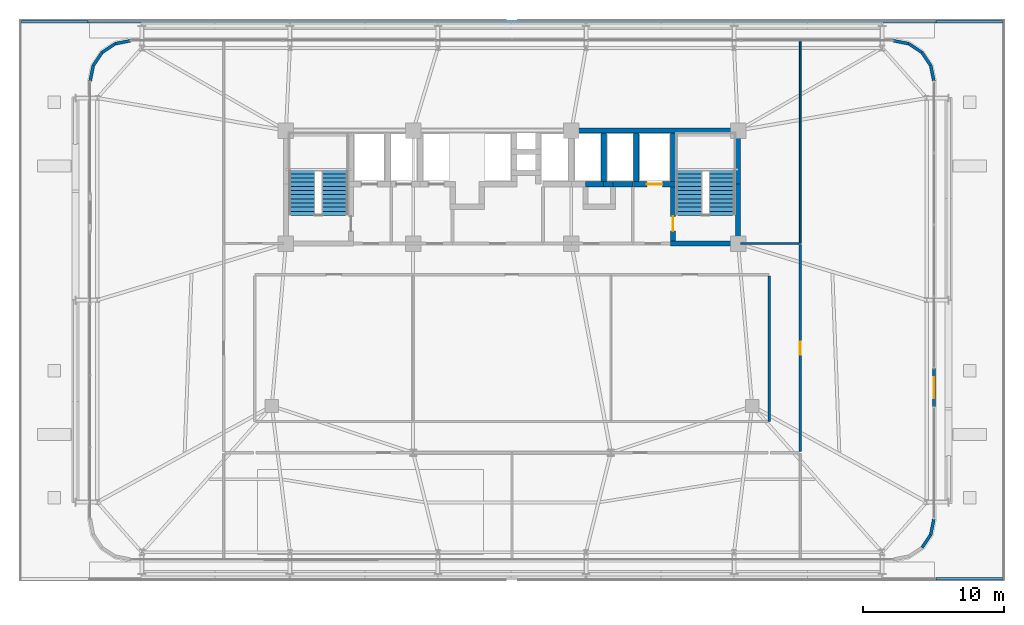
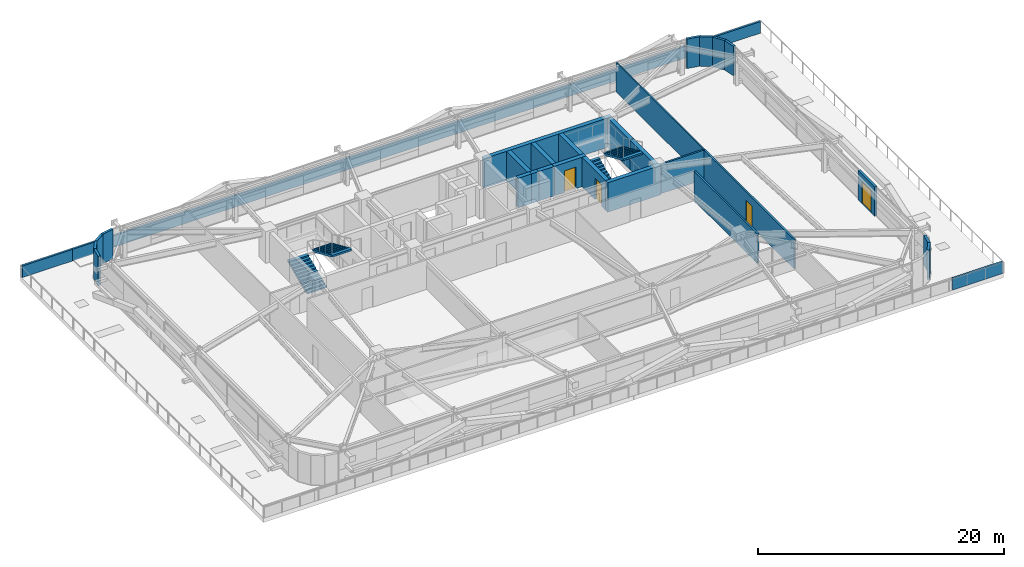
# One storey, part 52 of 56: 31 walls, 4 doors, 4 stair flights, 4 openings, 2 elements without a shape of their own.
"""IFC4 building model written with IfcOpenShell, lengths in metres."""

import ifcopenshell
import ifcopenshell.guid

model = None  # the IFC model being written
_history = None  # IfcOwnerHistory: only IFC2X3 demands one
_inside = {}  # id of a spatial element -> (the spatial element, [elements in it])
_under = {}  # id of a project, library or spatial element -> (it, [spatial elements below it])
_declared = {}  # id of a project -> (the project, [libraries it declares])
_typed = {}  # id of a type object -> (the type object, [elements of that type])
_made_of = {}  # id of a material, layer set ... -> (it, [elements and type objects made of it])


def new_model(schema):
    """Start an empty IFC model of exactly this schema.

    Asked for "IFC4X3", IfcOpenShell would pick the latest addendum, in which some entities
    have other attributes; the version numbers below select the first issue.
    IFC2X3 requires an IfcOwnerHistory on every rooted entity: one is made here for all.
    """
    global model, _history
    if schema == "IFC4X3":
        model = ifcopenshell.file(schema_version=(4, 3, 0, 0))
    else:
        model = ifcopenshell.file(schema=schema)
    _inside.clear()
    _under.clear()
    _declared.clear()
    _typed.clear()
    _made_of.clear()
    _history = None
    if model.schema == "IFC2X3":
        org = make("IfcOrganization", Name="unknown")
        user = make(
            "IfcPersonAndOrganization",
            ThePerson=make("IfcPerson", FamilyName="unknown"),
            TheOrganization=org,
        )
        app = make(
            "IfcApplication",
            ApplicationDeveloper=org,
            Version="unknown",
            ApplicationFullName="unknown",
            ApplicationIdentifier="unknown",
        )
        _history = make(
            "IfcOwnerHistory",
            OwningUser=user,
            OwningApplication=app,
            ChangeAction="ADDED",
            CreationDate=0,
        )
    return model


def make(cls, **values):
    """One entity of the class cls with the attributes given. An attribute that is None is left unset."""
    return model.create_entity(
        cls, **{name: value for name, value in values.items() if value is not None}
    )


def rooted(cls, **values):
    """An entity with a GlobalId (a new one), such as an element, a storey or a relation."""
    return make(cls, GlobalId=ifcopenshell.guid.new(), OwnerHistory=_history, **values)


def si_unit(unit_type, name, prefix=None):
    """IfcSIUnit, for example si_unit("LENGTHUNIT", "METRE", prefix="MILLI")."""
    return make("IfcSIUnit", UnitType=unit_type, Prefix=prefix, Name=name)


def assignment(units):
    """IfcUnitAssignment: the units of a project."""
    return None if units is None else make("IfcUnitAssignment", Units=units)


def point(xyz):
    """IfcCartesianPoint."""
    return None if xyz is None else make("IfcCartesianPoint", Coordinates=xyz)


def direction(xyz):
    """IfcDirection."""
    return None if xyz is None else make("IfcDirection", DirectionRatios=xyz)


def frame(location, z_axis=None, x_axis=None):
    """IfcAxis2Placement3D, a coordinate frame: its origin and axes. An axis left out is left unset."""
    return make(
        "IfcAxis2Placement3D",
        Location=point(location),
        Axis=direction(z_axis),
        RefDirection=direction(x_axis),
    )


def frame_2d(location, x_axis=None):
    """IfcAxis2Placement2D, a coordinate frame in the plane: its origin and x axis."""
    return make(
        "IfcAxis2Placement2D", Location=point(location), RefDirection=direction(x_axis)
    )


def origin():
    """The frame at (0, 0, 0) with its axes left unset."""
    return frame((0.0, 0.0, 0.0))


def place(relative_to, where):
    """IfcLocalPlacement: puts the frame where relative to a parent placement (None: the world)."""
    return make(
        "IfcLocalPlacement", PlacementRelTo=relative_to, RelativePlacement=where
    )


def context(
    kind, dimensions, precision=None, world=None, true_north=None, identifier=None
):
    """IfcGeometricRepresentationContext, for example the 3D "Model" context."""
    return make(
        "IfcGeometricRepresentationContext",
        ContextIdentifier=identifier,
        ContextType=kind,
        CoordinateSpaceDimension=dimensions,
        Precision=precision,
        WorldCoordinateSystem=world,
        TrueNorth=true_north,
    )


def subcontext(parent, identifier, kind, view, scale=None):
    """IfcGeometricRepresentationSubContext, for example "Body" below "Model"."""
    return make(
        "IfcGeometricRepresentationSubContext",
        ContextIdentifier=identifier,
        ContextType=kind,
        ParentContext=parent,
        TargetScale=scale,
        TargetView=view,
    )


def project(units=None, contexts=None):
    """IfcProject with its units and contexts."""
    return rooted(
        "IfcProject",
        Name="project",
        RepresentationContexts=contexts,
        UnitsInContext=assignment(units),
    )


def spatial(cls, under=None, at=None, **own):
    """A site, building, storey or space (cls), placed at a placement, below another one or the project."""
    s = rooted(cls, ObjectPlacement=at, **own)
    if under is not None:
        _under.setdefault(under.id(), (under, []))[1].append(s)
    return s


def polyline(points):
    """IfcPolyline through the points."""
    return make("IfcPolyline", Points=[point(p) for p in points])


def profile(cls, at=None, kind="AREA", **sizes):
    """A parametric profile (cls). Its sizes go by their IFC names, for example OverallWidth=200.0."""
    return make(cls, ProfileType=kind, Position=at, **sizes)


def rectangle(**sizes):
    """IfcRectangleProfileDef."""
    return profile("IfcRectangleProfileDef", **sizes)


def outline(outer, holes=None, kind="AREA"):
    """IfcArbitraryClosedProfileDef: a profile drawn as a closed curve; with holes, ...WithVoids."""
    if holes is None:
        return make("IfcArbitraryClosedProfileDef", ProfileType=kind, OuterCurve=outer)
    return make(
        "IfcArbitraryProfileDefWithVoids",
        ProfileType=kind,
        OuterCurve=outer,
        InnerCurves=holes,
    )


def extrude(swept, where, along, depth):
    """IfcExtrudedAreaSolid: the profile swept, set in the frame where, extruded along a direction by depth."""
    return make(
        "IfcExtrudedAreaSolid",
        SweptArea=swept,
        Position=where,
        ExtrudedDirection=direction(along),
        Depth=depth,
    )


def shape(context_of_items, identifier, shape_type, items):
    """IfcShapeRepresentation: the items that make up one representation, for example the "Body"."""
    return make(
        "IfcShapeRepresentation",
        ContextOfItems=context_of_items,
        RepresentationIdentifier=identifier,
        RepresentationType=shape_type,
        Items=items,
    )


def source(mapping_origin, context_of_items, identifier, shape_type, items):
    """IfcRepresentationMap: a shape defined once, which mapped items show again and again."""
    return make(
        "IfcRepresentationMap",
        MappingOrigin=mapping_origin,
        MappedRepresentation=shape(context_of_items, identifier, shape_type, items),
    )


def transform(
    local_origin,
    x_axis=None,
    y_axis=None,
    z_axis=None,
    scale=None,
    scale2=None,
    scale3=None,
    uniform=True,
):
    """IfcCartesianTransformationOperator3D, or its non-uniform kind. x_axis, y_axis, z_axis: its Axis1, 2, 3."""
    if uniform:
        return make(
            "IfcCartesianTransformationOperator3D",
            Axis1=direction(x_axis),
            Axis2=direction(y_axis),
            LocalOrigin=point(local_origin),
            Scale=scale,
            Axis3=direction(z_axis),
        )
    return make(
        "IfcCartesianTransformationOperator3DnonUniform",
        Axis1=direction(x_axis),
        Axis2=direction(y_axis),
        LocalOrigin=point(local_origin),
        Scale=scale,
        Axis3=direction(z_axis),
        Scale2=scale2,
        Scale3=scale3,
    )


def mapped(mapping_source, mapping_target):
    """IfcMappedItem: shows the shape of a source again, moved by a transform."""
    return make(
        "IfcMappedItem", MappingSource=mapping_source, MappingTarget=mapping_target
    )


def material(Name=None, Category=None):
    """IfcMaterial."""
    return make("IfcMaterial", Name=Name, Category=Category)


def layer(
    of_material, thickness, ventilated=None, Name=None, Category=None, Priority=None
):
    """IfcMaterialLayer: one layer of a wall or slab, of a material (None: an air gap)."""
    return make(
        "IfcMaterialLayer",
        Material=of_material,
        LayerThickness=thickness,
        IsVentilated=ventilated,
        Name=Name,
        Category=Category,
        Priority=Priority,
    )


def layer_set(layers, Name=None):
    """IfcMaterialLayerSet."""
    return make("IfcMaterialLayerSet", MaterialLayers=layers, LayerSetName=Name)


def made_of(thing, what):
    """Note that an element or type object is made of a material, layer set ...; save() writes the relation."""
    if what is not None:
        _made_of.setdefault(what.id(), (what, []))[1].append(thing)
    return thing


def type_object(cls, material=None, **own):
    """A type object (cls), such as IfcWallType, which elements share."""
    return made_of(rooted(cls, **own), material)


def element(
    cls,
    number,
    at=None,
    inside=None,
    cuts=None,
    type_object=None,
    material=None,
    context=None,
    identifier="Body",
    shape_type=None,
    held_by="IfcProductDefinitionShape",
    body=None,
    shapes=None,
    **own,
):
    """One element of the class cls, such as IfcWall. Its Tag is "e" and its number.

    at: its placement. inside: the storey or other place that contains it. cuts: it is an
    opening in that element (IfcRelVoidsElement). A single representation is given by context,
    identifier, shape_type and body (its items); several are given by shapes. held_by: the class
    of the entity that holds the representations. save() writes the other relations.
    """
    e = rooted(cls, Tag="e%d" % number, ObjectPlacement=at, **own)
    if body is not None:
        shapes = [shape(context, identifier, shape_type, body)]
    if shapes is not None:
        e.Representation = make(held_by, Representations=shapes)
    if inside is not None:
        _inside.setdefault(inside.id(), (inside, []))[1].append(e)
    if cuts is not None:
        rooted(
            "IfcRelVoidsElement", RelatingBuildingElement=cuts, RelatedOpeningElement=e
        )
    if type_object is not None:
        _typed.setdefault(type_object.id(), (type_object, []))[1].append(e)
    return made_of(e, material)


def fill(opening, filler):
    """IfcRelFillsElement: the door or window that sits in an opening."""
    return rooted(
        "IfcRelFillsElement",
        RelatingOpeningElement=opening,
        RelatedBuildingElement=filler,
    )


def aggregate(whole, parts):
    """IfcRelAggregates: a whole, such as a stair, and the parts it consists of."""
    return rooted("IfcRelAggregates", RelatingObject=whole, RelatedObjects=parts)


def save(model, path):
    """Write the relations noted so far, then the file.

    IfcRelAggregates (storeys below a building ...), IfcRelContainedInSpatialStructure (elements
    in a storey), IfcRelDefinesByType, IfcRelAssociatesMaterial and IfcRelDeclares: one each for
    every whole, place, type object, material and project.
    """
    for whole, parts in _under.values():
        aggregate(whole, parts)
    for where, things in _inside.values():
        rooted(
            "IfcRelContainedInSpatialStructure",
            RelatedElements=things,
            RelatingStructure=where,
        )
    for kind, things in _typed.values():
        rooted("IfcRelDefinesByType", RelatedObjects=things, RelatingType=kind)
    for what, things in _made_of.values():
        rooted("IfcRelAssociatesMaterial", RelatedObjects=things, RelatingMaterial=what)
    for by, libraries in _declared.values():
        rooted("IfcRelDeclares", RelatingContext=by, RelatedDefinitions=libraries)
    model.write(path)


model = new_model("IFC4")

# Units and contexts
model_context = context("Model", 3, precision=1e-05, world=origin(), true_north=direction((0.0, 1.0)))
body_context = subcontext(model_context, "Body", "Model", "MODEL_VIEW")
ifc_project = project(units=[si_unit("LENGTHUNIT", "METRE"), si_unit("AREAUNIT", "SQUARE_METRE"), si_unit("VOLUMEUNIT", "CUBIC_METRE"), si_unit("PLANEANGLEUNIT", "RADIAN"), si_unit("MASSUNIT", "GRAM", prefix="KILO")], contexts=[model_context])

# Site, building, storey
site_placement = place(None, origin())
site = spatial("IfcSite", under=ifc_project, at=site_placement, CompositionType="ELEMENT")
building_placement = place(site_placement, origin())
building = spatial("IfcBuilding", under=site, at=building_placement, Name="Taldren Reach Tower", CompositionType="ELEMENT")
storey_placement = place(building_placement, frame((0.0, 0.0, 16.800048828125)))
storey = spatial("IfcBuildingStorey", under=building, at=storey_placement, Name="L04", CompositionType="ELEMENT", Elevation=16.800048828125)

# Walls
ifc_material_1 = material(Name="Pale Champagne Anodised Aluminium Cladding", Category="aluminium")
ifc_layer_1 = layer(ifc_material_1, 0.04, Name="Pale Champagne Anodised Aluminium Cladding", Category="aluminium")
ifc_material_2 = material(Name="Mineral Wool Acoustic Insulation", Category="insulation")
ifc_layer_2 = layer(ifc_material_2, 0.06, Name="Mineral Wool Acoustic Insulation", Category="insulation")
ifc_material_3 = material(Name="Steel Gr 350 (C350L0)", Category="steel")
ifc_layer_3 = layer(ifc_material_3, 0.12, Name="Steel Gr 350 (C350L0)", Category="steel")
ifc_layer_set_1 = layer_set([ifc_layer_1, ifc_layer_2, ifc_layer_3], Name="Pale Champagne Aluminium Cladding and Steel Gr 350 Stud Framing")
wall_type_1 = type_object("IfcWallType", Name="EW-CRN-220", PredefinedType="SOLIDWALL", material=ifc_layer_set_1)
shared_shape_1 = source(origin(), body_context, "Body", "SweptSolid", [
    extrude(rectangle(XDim=1.115966796875, YDim=0.219970703125, at=frame_2d((0.55810546875, 0.0))), origin(), (0.0, 0.0, 1.0), 2.929931640625),
])
for number, where, z_axis, x_axis, name in (
    (1, (64.022216796875, 2.477783203125, 0.0), (0.0, 0.0, 1.0), (0.555709556774, 0.83137650226, 0.0), "Rounded-corner pale-metal facade wall L04-SE3"),
    (2, (64.642333984375, 3.405517578125, 0.0), (0.0, 0.0, 1.0), (0.195148375659, 0.98077373103, 0.0), "Rounded-corner pale-metal facade wall L04-SE4"),
    (3, (64.860107421875, 35.5, 0.0), (0.0, 0.0, 1.0), (-0.195148375659, 0.98077373103, 0.0), "Rounded-corner pale-metal facade wall L04-NE1"),
    (4, (64.642333984375, 36.594482421875, 0.0), (0.0, 0.0, 1.0), (-0.555709556774, 0.83137650226, 0.0), "Rounded-corner pale-metal facade wall L04-NE2"),
    (5, (64.022216796875, 37.522216796875, 0.0), (0.0, 0.0, 1.0), (-0.83137650226, 0.555709556774, 0.0), "Rounded-corner pale-metal facade wall L04-NE3"),
    (6, (63.094482421875, 38.142333984375, 0.0), (0.0, 0.0, 1.0), (-0.98077373103, 0.195148375659, 0.0), "Rounded-corner pale-metal facade wall L04-NE4"),
    (7, (8.0, 38.360107421875, 0.0), (0.0, 0.0, 1.0), (-0.98077373103, -0.195148375659, 0.0), "Rounded-corner pale-metal facade wall L04-NW1"),
    (8, (6.905517578125, 38.142333984375, 0.0), (0.0, 0.0, 1.0), (-0.83137650226, -0.555709556774, 0.0), "Rounded-corner pale-metal facade wall L04-NW2"),
    (9, (5.977783203125, 37.522216796875, 0.0), (0.0, 0.0, 1.0), (-0.555709556774, -0.83137650226, 0.0), "Rounded-corner pale-metal facade wall L04-NW3"),
    (10, (5.357666015625, 36.594482421875, 0.0), (0.0, 0.0, 1.0), (-0.195148375659, -0.98077373103, 0.0), "Rounded-corner pale-metal facade wall L04-NW4"),
):
    element("IfcWall", number, at=place(storey_placement, frame(where, z_axis=z_axis, x_axis=x_axis)), inside=storey, type_object=wall_type_1, Name=name, PredefinedType="SOLIDWALL", context=body_context, shape_type="MappedRepresentation", body=[
        mapped(shared_shape_1, transform((0.0, 0.0, 0.0), scale=1.0)),
    ])

# Wall, opening, door
shared_shape_2 = source(origin(), body_context, "Body", "SweptSolid", [
    extrude(rectangle(XDim=2.699951171875, YDim=0.219970703125, at=frame_2d((1.35009765625, 0.0))), origin(), (0.0, 0.0, 1.0), 2.929931640625),
])
wall_1_placement = place(storey_placement, frame((64.860107421875, 12.449951171875, 0.0), z_axis=(0.0, 0.0, 1.0), x_axis=(0.0, 1.0, 0.0)))
wall_1 = element("IfcWall", 11, at=wall_1_placement, inside=storey, type_object=wall_type_1, Name="Terrace threshold facade wall L04-E1", PredefinedType="SOLIDWALL", context=body_context, shape_type="MappedRepresentation", body=[
    mapped(shared_shape_2, transform((0.0, 0.0, 0.0), scale=1.0)),
])
shared_shape_3 = source(origin(), body_context, "Body", "SweptSolid", [
    extrude(rectangle(XDim=1.5, YDim=2.199951171875, at=frame_2d((0.75, 1.10009765625))), frame((0.0, 0.1201171875, 0.0), z_axis=(0.0, -1.0, 0.0), x_axis=(1.0, 0.0, 0.0)), (0.0, 0.0, 1.0), 0.239990234375),
])
opening_1_placement = place(wall_1_placement, frame((0.60009765625, 0.0, 0.0)))
opening_1 = element("IfcOpeningElement", 12, at=opening_1_placement, cuts=wall_1, Name="Opening ED-150", PredefinedType="OPENING", context=body_context, shape_type="MappedRepresentation", body=[
    mapped(shared_shape_3, transform((0.0, 0.0, 0.0), scale=1.0)),
])
ifc_material_4 = material(Name="Weatherproof Glazed Terrace Door")
door_type_1 = type_object("IfcDoorType", Name="ED-TERR-1500", OperationType="DOUBLE_DOOR_SINGLE_SWING", PredefinedType="DOOR", material=ifc_material_4)
shared_shape_4 = source(origin(), body_context, "Body", "SweptSolid", [
    extrude(rectangle(XDim=1.5, YDim=2.199951171875, at=frame_2d((0.75, 1.10009765625))), frame((0.0, 0.02490234375, 0.0), z_axis=(0.0, -1.0, 0.0), x_axis=(1.0, 0.0, 0.0)), (0.0, 0.0, 1.0), 0.050048828125),
])
door_1_placement = place(opening_1_placement, frame((1.5, 0.0, 0.0), z_axis=(0.0, 0.0, 1.0), x_axis=(-1.0, 0.0, 0.0)))
door_1 = element("IfcDoor", 13, at=door_1_placement, inside=storey, type_object=door_type_1, Name="Setback terrace access door ED-TERR-L04-E1", OperationType="DOUBLE_DOOR_SINGLE_SWING", OverallHeight=2.199951171875, OverallWidth=1.5, PredefinedType="DOOR", context=body_context, shape_type="MappedRepresentation", body=[
    mapped(shared_shape_4, transform((0.0, 0.0, 0.0), scale=1.0)),
])
fill(opening_1, door_1)

# Walls
ifc_layer_4 = layer(ifc_material_1, 0.03, Name="Pale Champagne Anodised Aluminium Cladding", Category="aluminium")
ifc_material_5 = material(Name="Concrete N40 (40 MPa)", Category="concrete")
ifc_layer_5 = layer(ifc_material_5, 0.15, Name="Concrete N40 (40 MPa)", Category="concrete")
ifc_layer_set_2 = layer_set([ifc_layer_4, ifc_layer_5], Name="Pale Champagne Aluminium Coping and Concrete 40 MPa (N40) Parapet")
wall_type_2 = type_object("IfcWallType", Name="EW-PAR-180", PredefinedType="PARAPET", material=ifc_layer_set_2)
shared_shape_5 = source(origin(), body_context, "Body", "SweptSolid", [
    extrude(rectangle(XDim=60.0, YDim=0.179931640625, at=frame_2d((30.0, 0.0))), origin(), (0.0, 0.0, 1.0), 1.14990234375),
])
wall_2_placement = place(storey_placement, frame((5.0, 39.7099609375, 0.0), z_axis=(0.0, 0.0, 1.0), x_axis=(1.0, 0.0, 0.0)))
element("IfcWall", 14, at=wall_2_placement, inside=storey, type_object=wall_type_2, Name="Podium perimeter parapet wall L04-N", PredefinedType="PARAPET", context=body_context, shape_type="MappedRepresentation", body=[
    mapped(shared_shape_5, transform((0.0, 0.0, 0.0), scale=1.0)),
])
shared_shape_6 = source(origin(), body_context, "Body", "SweptSolid", [
    extrude(rectangle(XDim=4.7099609375, YDim=0.179931640625, at=frame_2d((2.35498046875, 0.0))), origin(), (0.0, 0.0, 1.0), 1.14990234375),
])
for number, where, z_axis, x_axis, name in (
    (15, (65.0, 0.2900390625, 0.0), (0.0, 0.0, 1.0), (1.0, 0.0, 0.0), "Podium perimeter parapet wall L04-SE"),
    (16, (0.2900390625, 39.7099609375, 0.0), (0.0, 0.0, 1.0), (1.0, 0.0, 0.0), "Podium perimeter parapet wall L04-NW"),
    (17, (65.0, 39.7099609375, 0.0), (0.0, 0.0, 1.0), (1.0, 0.0, 0.0), "Podium perimeter parapet wall L04-NE"),
):
    element("IfcWall", number, at=place(storey_placement, frame(where, z_axis=z_axis, x_axis=x_axis)), inside=storey, type_object=wall_type_2, Name=name, PredefinedType="PARAPET", context=body_context, shape_type="MappedRepresentation", body=[
        mapped(shared_shape_6, transform((0.0, 0.0, 0.0), scale=1.0)),
    ])
ifc_material_6 = material(Name="Concrete S80 (80 MPa)", Category="concrete")
ifc_layer_6 = layer(ifc_material_6, 0.3798828125)
ifc_layer_set_3 = layer_set([ifc_layer_6], Name="Concrete S80 (80 MPa)")
wall_type_3 = type_object("IfcWallType", Name="IW-CORE-380", PredefinedType="SHEAR", material=ifc_layer_set_3)
shared_shape_7 = source(origin(), body_context, "Body", "SweptSolid", [
    extrude(rectangle(XDim=11.989990234375, YDim=0.3798828125, at=frame_2d((5.9951171875, 0.0))), origin(), (0.0, 0.0, 1.0), 2.929931640625),
])
wall_3_placement = place(storey_placement, frame((39.199951171875, 32.0, 0.0), z_axis=(0.0, 0.0, 1.0), x_axis=(1.0, 0.0, 0.0)))
element("IfcWall", 18, at=wall_3_placement, inside=storey, type_object=wall_type_3, Name="Rear Core Shear Wall W-CORE-L04-NORTH3", PredefinedType="SHEAR", context=body_context, shape_type="MappedRepresentation", body=[
    mapped(shared_shape_7, transform((0.0, 0.0, 0.0), scale=1.0)),
])
shared_shape_8 = source(origin(), body_context, "Body", "SweptSolid", [
    extrude(rectangle(XDim=4.010009765625, YDim=0.3798828125, at=frame_2d((2.0048828125, 0.0))), origin(), (0.0, 0.0, 1.0), 2.929931640625),
])
wall_4_placement = place(storey_placement, frame((51.0, 24.18994140625, 0.0), z_axis=(0.0, 0.0, 1.0), x_axis=(0.0, 1.0, 0.0)))
element("IfcWall", 19, at=wall_4_placement, inside=storey, type_object=wall_type_3, Name="Rear Core Shear Wall W-CORE-L04-EAST1", PredefinedType="SHEAR", context=body_context, shape_type="MappedRepresentation", body=[
    mapped(shared_shape_8, transform((0.0, 0.0, 0.0), scale=1.0)),
])
shared_shape_9 = source(origin(), body_context, "Body", "SweptSolid", [
    extrude(rectangle(XDim=3.610107421875, YDim=0.3798828125, at=frame_2d((1.80517578125, 0.0))), origin(), (0.0, 0.0, 1.0), 2.929931640625),
])
wall_5_placement = place(storey_placement, frame((51.0, 28.199951171875, 0.0), z_axis=(0.0, 0.0, 1.0), x_axis=(0.0, 1.0, 0.0)))
element("IfcWall", 20, at=wall_5_placement, inside=storey, type_object=wall_type_3, Name="Rear Core Shear Wall W-CORE-L04-EAST2", PredefinedType="SHEAR", context=body_context, shape_type="MappedRepresentation", body=[
    mapped(shared_shape_9, transform((0.0, 0.0, 0.0), scale=1.0)),
])
shared_shape_10 = source(origin(), body_context, "Body", "SweptSolid", [
    extrude(rectangle(XDim=3.420166015625, YDim=0.3798828125, at=frame_2d((1.7099609375, 0.0))), origin(), (0.0, 0.0, 1.0), 2.929931640625),
])
for number, where, z_axis, x_axis, name in (
    (21, (46.39990234375, 31.81005859375, 0.0), (0.0, 0.0, 1.0), (0.0, -1.0, 0.0), "Rear Core Shear Wall W-INT-L04-008"),
    (22, (43.800048828125, 31.81005859375, 0.0), (0.0, 0.0, 1.0), (0.0, -1.0, 0.0), "Rear Core Shear Wall W-INT-L04-012"),
    (23, (41.5, 28.389892578125, 0.0), (0.0, 0.0, 1.0), (0.0, 1.0, 0.0), "Rear Core Shear Wall W-INT-L04-039"),
):
    element("IfcWall", number, at=place(storey_placement, frame(where, z_axis=z_axis, x_axis=x_axis)), inside=storey, type_object=wall_type_3, Name=name, PredefinedType="SHEAR", context=body_context, shape_type="MappedRepresentation", body=[
        mapped(shared_shape_10, transform((0.0, 0.0, 0.0), scale=1.0)),
    ])

# Wall, opening, door
shared_shape_11 = source(origin(), body_context, "Body", "SweptSolid", [
    extrude(rectangle(XDim=3.820068359375, YDim=0.3798828125, at=frame_2d((1.91015625, 0.0))), origin(), (0.0, 0.0, 1.0), 2.929931640625),
])
wall_6_placement = place(storey_placement, frame((46.39990234375, 28.010009765625, 0.0), z_axis=(0.0, 0.0, 1.0), x_axis=(0.0, -1.0, 0.0)))
wall_6 = element("IfcWall", 24, at=wall_6_placement, inside=storey, type_object=wall_type_3, Name="Rear Core Shear Wall W-INT-L04-009", PredefinedType="SHEAR", context=body_context, shape_type="MappedRepresentation", body=[
    mapped(shared_shape_11, transform((0.0, 0.0, 0.0), scale=1.0)),
])
shared_shape_12 = source(origin(), body_context, "Body", "SweptSolid", [
    extrude(rectangle(XDim=1.050048828125, YDim=2.10009765625, at=frame_2d((0.52490234375, 1.050048828125))), frame((0.0, 0.199951171875, 0.0), z_axis=(0.0, -1.0, 0.0), x_axis=(1.0, 0.0, 0.0)), (0.0, 0.0, 1.0), 0.39990234375),
])
opening_2_placement = place(wall_6_placement, frame((2.0849609375, 0.0, 0.0)))
opening_2 = element("IfcOpeningElement", 25, at=opening_2_placement, cuts=wall_6, Name="Opening DF-105", PredefinedType="OPENING", context=body_context, shape_type="MappedRepresentation", body=[
    mapped(shared_shape_12, transform((0.0, 0.0, 0.0), scale=1.0)),
])
ifc_material_7 = material(Name="Fire-Rated Care and Stair Exit Door")
door_type_2 = type_object("IfcDoorType", Name="ID-FIRE-105", OperationType="NOTDEFINED", PredefinedType="DOOR", material=ifc_material_7)
shared_shape_13 = source(origin(), body_context, "Body", "SweptSolid", [
    extrude(rectangle(XDim=1.050048828125, YDim=2.10009765625, at=frame_2d((0.52490234375, 1.050048828125))), frame((0.0, 0.02490234375, 0.0), z_axis=(0.0, -1.0, 0.0), x_axis=(1.0, 0.0, 0.0)), (0.0, 0.0, 1.0), 0.050048828125),
])
door_2_placement = place(opening_2_placement, origin())
door_2 = element("IfcDoor", 26, at=door_2_placement, inside=storey, type_object=door_type_2, Name="Fire Exit Stair Door DR-L04-003", OperationType="SINGLE_SWING_RIGHT", OverallHeight=2.10009765625, OverallWidth=1.050048828125, PredefinedType="DOOR", context=body_context, shape_type="MappedRepresentation", body=[
    mapped(shared_shape_13, transform((0.0, 0.0, 0.0), scale=1.0)),
])
fill(opening_2, door_2)

# Wall
shared_shape_14 = source(origin(), body_context, "Body", "SweptSolid", [
    extrude(rectangle(XDim=4.97998046875, YDim=0.3798828125, at=frame_2d((2.489990234375, 0.0))), origin(), (0.0, 0.0, 1.0), 2.929931640625),
])
wall_7_placement = place(storey_placement, frame((46.2099609375, 24.0, 0.0), z_axis=(0.0, 0.0, 1.0), x_axis=(1.0, 0.0, 0.0)))
element("IfcWall", 27, at=wall_7_placement, inside=storey, type_object=wall_type_3, Name="Rear Core Shear Wall W-INT-L04-010", PredefinedType="SHEAR", context=body_context, shape_type="MappedRepresentation", body=[
    mapped(shared_shape_14, transform((0.0, 0.0, 0.0), scale=1.0)),
])

# Wall, opening, door
shared_shape_15 = source(origin(), body_context, "Body", "SweptSolid", [
    extrude(rectangle(XDim=2.97998046875, YDim=0.3798828125, at=frame_2d((1.489990234375, 0.0))), origin(), (0.0, 0.0, 1.0), 2.929931640625),
])
wall_8_placement = place(storey_placement, frame((43.610107421875, 28.199951171875, 0.0), z_axis=(0.0, 0.0, 1.0), x_axis=(1.0, 0.0, 0.0)))
wall_8 = element("IfcWall", 28, at=wall_8_placement, inside=storey, type_object=wall_type_3, Name="Rear Core Shear Wall W-INT-L04-011", PredefinedType="SHEAR", context=body_context, shape_type="MappedRepresentation", body=[
    mapped(shared_shape_15, transform((0.0, 0.0, 0.0), scale=1.0)),
])
shared_shape_16 = source(origin(), body_context, "Body", "SweptSolid", [
    extrude(rectangle(XDim=1.10009765625, YDim=2.14990234375, at=frame_2d((0.550048828125, 1.074951171875))), frame((0.0, 0.199951171875, 0.0), z_axis=(0.0, -1.0, 0.0), x_axis=(1.0, 0.0, 0.0)), (0.0, 0.0, 1.0), 0.39990234375),
])
opening_3_placement = place(wall_8_placement, frame((0.93994140625, 0.0, 0.0)))
opening_3 = element("IfcOpeningElement", 29, at=opening_3_placement, cuts=wall_8, Name="Opening LD-FL2", PredefinedType="OPENING", context=body_context, shape_type="MappedRepresentation", body=[
    mapped(shared_shape_16, transform((0.0, 0.0, 0.0), scale=1.0)),
])
ifc_material_8 = material(Name="Stainless Steel Gr 316 Emergency Lift Landing Door", Category="steel")
door_type_3 = type_object("IfcDoorType", Name="LD-EMG-110", OperationType="SLIDING_TO_LEFT", PredefinedType="DOOR", material=ifc_material_8)
shared_shape_17 = source(origin(), body_context, "Body", "SweptSolid", [
    extrude(rectangle(XDim=1.10009765625, YDim=2.14990234375, at=frame_2d((0.550048828125, 1.074951171875))), frame((0.0, 0.02490234375, 0.0), z_axis=(0.0, -1.0, 0.0), x_axis=(1.0, 0.0, 0.0)), (0.0, 0.0, 1.0), 0.050048828125),
])
door_3_placement = place(opening_3_placement, origin())
door_3 = element("IfcDoor", 30, at=door_3_placement, inside=storey, type_object=door_type_3, Name="Lift Landing Door LD-FL2-L04", OperationType="SLIDING_TO_LEFT", OverallHeight=2.14990234375, OverallWidth=1.10009765625, PredefinedType="DOOR", context=body_context, shape_type="MappedRepresentation", body=[
    mapped(shared_shape_17, transform((0.0, 0.0, 0.0), scale=1.0)),
])
fill(opening_3, door_3)

# Walls
shared_shape_18 = source(origin(), body_context, "Body", "SweptSolid", [
    extrude(rectangle(XDim=1.320068359375, YDim=0.3798828125, at=frame_2d((0.66015625, 0.0))), origin(), (0.0, 0.0, 1.0), 2.929931640625),
])
wall_9_placement = place(storey_placement, frame((41.52001953125, 28.199951171875, 0.0), z_axis=(0.0, 0.0, 1.0), x_axis=(-1.0, 0.0, 0.0)))
element("IfcWall", 31, at=wall_9_placement, inside=storey, type_object=wall_type_3, Name="Rear Core Shear Wall W-INT-L04-024", PredefinedType="SHEAR", context=body_context, shape_type="MappedRepresentation", body=[
    mapped(shared_shape_18, transform((0.0, 0.0, 0.0), scale=1.0)),
])
shared_shape_19 = source(origin(), body_context, "Body", "SweptSolid", [
    extrude(rectangle(XDim=0.669921875, YDim=0.3798828125, at=frame_2d((0.3349609375, 0.0))), origin(), (0.0, 0.0, 1.0), 2.929931640625),
])
wall_10_placement = place(storey_placement, frame((42.14990234375, 28.199951171875, 0.0), z_axis=(0.0, 0.0, 1.0), x_axis=(-1.0, 0.0, 0.0)))
element("IfcWall", 32, at=wall_10_placement, inside=storey, type_object=wall_type_3, Name="Rear Core Shear Wall W-INT-L04-025", PredefinedType="SHEAR", context=body_context, shape_type="MappedRepresentation", body=[
    mapped(shared_shape_19, transform((0.0, 0.0, 0.0), scale=1.0)),
])
shared_shape_20 = source(origin(), body_context, "Body", "SweptSolid", [
    extrude(rectangle(XDim=1.440185546875, YDim=0.3798828125, at=frame_2d((0.72021484375, 0.0))), origin(), (0.0, 0.0, 1.0), 2.929931640625),
])
wall_11_placement = place(storey_placement, frame((42.1298828125, 28.199951171875, 0.0), z_axis=(0.0, 0.0, 1.0), x_axis=(1.0, 0.0, 0.0)))
element("IfcWall", 33, at=wall_11_placement, inside=storey, type_object=wall_type_3, Name="Rear Core Shear Wall W-INT-L04-041", PredefinedType="SHEAR", context=body_context, shape_type="MappedRepresentation", body=[
    mapped(shared_shape_20, transform((0.0, 0.0, 0.0), scale=1.0)),
])
ifc_material_9 = material(Name="Fire-Rated Acoustic Plasterboard Stud Wall", Category="gypsum")
ifc_layer_7 = layer(ifc_material_9, 0.159912109375)
ifc_layer_set_4 = layer_set([ifc_layer_7], Name="Fire-Rated Acoustic Plasterboard Stud Wall")
wall_type_4 = type_object("IfcWallType", Name="IW-FIRE-160", PredefinedType="PARTITIONING", material=ifc_layer_set_4)
shared_shape_21 = source(origin(), body_context, "Body", "SweptSolid", [
    extrude(rectangle(XDim=10.2998046875, YDim=0.159912109375, at=frame_2d((5.14990234375, 0.0))), origin(), (0.0, 0.0, 1.0), 2.929931640625),
])
wall_12_placement = place(storey_placement, frame((53.199951171875, 11.420166015625, 0.0), z_axis=(0.0, 0.0, 1.0), x_axis=(0.0, 1.0, 0.0)))
element("IfcWall", 34, at=wall_12_placement, inside=storey, type_object=wall_type_4, Name="Interior Partition Wall W-INT-L04-049", PredefinedType="PARTITIONING", context=body_context, shape_type="MappedRepresentation", body=[
    mapped(shared_shape_21, transform((0.0, 0.0, 0.0), scale=1.0)),
])

# Wall, opening, door
shared_shape_22 = source(origin(), body_context, "Body", "SweptSolid", [
    extrude(rectangle(XDim=14.639892578125, YDim=0.159912109375, at=frame_2d((7.31982421875, 0.0))), origin(), (0.0, 0.0, 1.0), 2.929931640625),
])
wall_13_placement = place(storey_placement, frame((55.39990234375, 23.919921875, 0.0), z_axis=(0.0, 0.0, 1.0), x_axis=(0.0, -1.0, 0.0)))
wall_13 = element("IfcWall", 35, at=wall_13_placement, inside=storey, type_object=wall_type_4, Name="Interior Partition Wall W-INT-L04-053", PredefinedType="PARTITIONING", context=body_context, shape_type="MappedRepresentation", body=[
    mapped(shared_shape_22, transform((0.0, 0.0, 0.0), scale=1.0)),
])
shared_shape_23 = source(origin(), body_context, "Body", "SweptSolid", [
    extrude(rectangle(XDim=0.919921875, YDim=2.10009765625, at=frame_2d((0.4599609375, 1.050048828125))), frame((0.0, 0.08984375, 0.0), z_axis=(0.0, -1.0, 0.0), x_axis=(1.0, 0.0, 0.0)), (0.0, 0.0, 1.0), 0.179931640625),
])
opening_4_placement = place(wall_13_placement, frame((6.860107421875, 0.0, 0.0)))
opening_4 = element("IfcOpeningElement", 36, at=opening_4_placement, cuts=wall_13, Name="Opening DI-092", PredefinedType="OPENING", context=body_context, shape_type="MappedRepresentation", body=[
    mapped(shared_shape_23, transform((0.0, 0.0, 0.0), scale=1.0)),
])
ifc_material_10 = material(Name="Solid-Core Timber Suite Door", Category="wood")
door_type_4 = type_object("IfcDoorType", Name="ID-INT-092", OperationType="NOTDEFINED", PredefinedType="DOOR", material=ifc_material_10)
shared_shape_24 = source(origin(), body_context, "Body", "SweptSolid", [
    extrude(rectangle(XDim=0.919921875, YDim=2.10009765625, at=frame_2d((0.4599609375, 1.050048828125))), frame((0.0, 0.02490234375, 0.0), z_axis=(0.0, -1.0, 0.0), x_axis=(1.0, 0.0, 0.0)), (0.0, 0.0, 1.0), 0.050048828125),
])
door_4_placement = place(opening_4_placement, origin())
door_4 = element("IfcDoor", 37, at=door_4_placement, inside=storey, type_object=door_type_4, Name="Interior Door DR-L04-012", OperationType="SINGLE_SWING_LEFT", OverallHeight=2.10009765625, OverallWidth=0.919921875, PredefinedType="DOOR", context=body_context, shape_type="MappedRepresentation", body=[
    mapped(shared_shape_24, transform((0.0, 0.0, 0.0), scale=1.0)),
])
fill(opening_4, door_4)

# Walls
shared_shape_25 = source(origin(), body_context, "Body", "SweptSolid", [
    extrude(rectangle(XDim=4.130126953125, YDim=0.159912109375, at=frame_2d((2.06494140625, 0.0))), origin(), (0.0, 0.0, 1.0), 2.929931640625),
])
wall_14_placement = place(storey_placement, frame((51.18994140625, 24.0, 0.0), z_axis=(0.0, 0.0, 1.0), x_axis=(1.0, 0.0, 0.0)))
element("IfcWall", 38, at=wall_14_placement, inside=storey, type_object=wall_type_4, Name="Interior Partition Wall W-INT-L04-055", PredefinedType="PARTITIONING", context=body_context, shape_type="MappedRepresentation", body=[
    mapped(shared_shape_25, transform((0.0, 0.0, 0.0), scale=1.0)),
])
ifc_material_11 = material(Name="Insulated Residential Stud Partition", Category="gypsum")
ifc_layer_8 = layer(ifc_material_11, 0.1201171875)
ifc_layer_set_5 = layer_set([ifc_layer_8], Name="Insulated Residential Stud Partition")
wall_type_5 = type_object("IfcWallType", Name="IW-PART-120", PredefinedType="PARTITIONING", material=ifc_layer_set_5)
shared_shape_26 = source(origin(), body_context, "Body", "SweptSolid", [
    extrude(rectangle(XDim=14.249755859375, YDim=0.1201171875, at=frame_2d((7.125, 0.0))), origin(), (0.0, 0.0, 1.0), 2.929931640625),
])
wall_15_placement = place(storey_placement, frame((55.39990234375, 24.020263671875, 0.0), z_axis=(0.0, 0.0, 1.0), x_axis=(0.0, 1.0, 0.0)))
element("IfcWall", 39, at=wall_15_placement, inside=storey, type_object=wall_type_5, Name="Interior Partition Wall W-INT-L04-067", PredefinedType="PARTITIONING", context=body_context, shape_type="MappedRepresentation", body=[
    mapped(shared_shape_26, transform((0.0, 0.0, 0.0), scale=1.0)),
])

# Stair, stair flights
ifc_material_12 = material(Name="Concrete S50 (50 MPa)", Category="concrete")
stair_type = type_object("IfcStairType", Name="ST-HT-315", PredefinedType="HALF_TURN_STAIR", material=ifc_material_12)
stair_1_placement = place(storey_placement, origin())
stair_1 = element("IfcStair", 40, at=stair_1_placement, inside=storey, type_object=stair_type, Name="Fire-isolated exit stair ST1 L04", PredefinedType="HALF_TURN_STAIR")
stair_flight_type = type_object("IfcStairFlightType", Name="SF-STR-315", PredefinedType="STRAIGHT", material=ifc_material_12)
stair_flight_1_placement = place(storey_placement, frame((20.139892578125, 25.989990234375, 0.0), z_axis=(0.0, 0.0, 1.0), x_axis=(0.0, 1.0, 0.0)))
stair_flight_1 = element("IfcStairFlight", 41, at=stair_flight_1_placement, type_object=stair_flight_type, Name="ST1 flight 1", NumberOfRisers=12, NumberOfTreads=11, PredefinedType="STRAIGHT", RiserHeight=0.13125, TreadLength=0.295, context=body_context, shape_type="SweptSolid", body=[
    extrude(outline(polyline([(0.0, 0.0), (0.0, 0.13134765625), (0.294921875, 0.13134765625), (0.294921875, 0.262451171875), (0.590087890625, 0.262451171875), (0.590087890625, 0.393798828125), (0.885009765625, 0.393798828125), (0.885009765625, 0.52490234375), (1.179931640625, 0.52490234375), (1.179931640625, 0.65625), (1.47509765625, 0.65625), (1.47509765625, 0.78759765625), (1.77001953125, 0.78759765625), (1.77001953125, 0.918701171875), (2.06494140625, 0.918701171875), (2.06494140625, 1.050048828125), (2.360107421875, 1.050048828125), (2.360107421875, 1.18115234375), (2.655029296875, 1.18115234375), (2.655029296875, 1.3125), (2.949951171875, 1.3125), (2.949951171875, 1.44384765625), (3.2451171875, 1.44384765625), (3.2451171875, 1.574951171875), (3.2451171875, 1.268798828125), (0.393310546875, 0.0), (0.0, 0.0)])), frame((0.0, 0.919921875, 0.0), z_axis=(0.0, -1.0, 0.0), x_axis=(1.0, 0.0, 0.0)), (0.0, 0.0, 1.0), 1.840087890625),
])
stair_flight_2_placement = place(storey_placement, frame((22.4599609375, 29.235107421875, 1.574951171875), z_axis=(0.0, 0.0, 1.0), x_axis=(0.0, -1.0, 0.0)))
stair_flight_2 = element("IfcStairFlight", 42, at=stair_flight_2_placement, type_object=stair_flight_type, Name="ST1 flight 2", NumberOfRisers=12, NumberOfTreads=11, PredefinedType="STRAIGHT", RiserHeight=0.13125, TreadLength=0.295, context=body_context, shape_type="SweptSolid", body=[
    extrude(outline(polyline([(0.0, 0.0), (0.0, 0.13134765625), (0.294921875, 0.13134765625), (0.294921875, 0.262451171875), (0.590087890625, 0.262451171875), (0.590087890625, 0.393798828125), (0.885009765625, 0.393798828125), (0.885009765625, 0.52490234375), (1.179931640625, 0.52490234375), (1.179931640625, 0.65625), (1.47509765625, 0.65625), (1.47509765625, 0.78759765625), (1.77001953125, 0.78759765625), (1.77001953125, 0.918701171875), (2.06494140625, 0.918701171875), (2.06494140625, 1.050048828125), (2.360107421875, 1.050048828125), (2.360107421875, 1.18115234375), (2.655029296875, 1.18115234375), (2.655029296875, 1.3125), (2.949951171875, 1.3125), (2.949951171875, 1.44384765625), (3.2451171875, 1.44384765625), (3.2451171875, 1.574951171875), (3.2451171875, 1.268798828125), (0.393310546875, 0.0), (0.0, 0.0)])), frame((0.0, 0.919921875, 0.0), z_axis=(0.0, -1.0, 0.0), x_axis=(1.0, 0.0, 0.0)), (0.0, 0.0, 1.0), 1.840087890625),
])
aggregate(stair_1, [stair_flight_1, stair_flight_2])

stair_2_placement = place(storey_placement, origin())
stair_2 = element("IfcStair", 43, at=stair_2_placement, inside=storey, type_object=stair_type, Name="Fire-isolated exit stair ST2 L04", PredefinedType="HALF_TURN_STAIR")
stair_flight_3_placement = place(storey_placement, frame((47.5400390625, 25.989990234375, 0.0), z_axis=(0.0, 0.0, 1.0), x_axis=(0.0, 1.0, 0.0)))
stair_flight_3 = element("IfcStairFlight", 44, at=stair_flight_3_placement, type_object=stair_flight_type, Name="ST2 flight 1", NumberOfRisers=12, NumberOfTreads=11, PredefinedType="STRAIGHT", RiserHeight=0.13125, TreadLength=0.295, context=body_context, shape_type="SweptSolid", body=[
    extrude(outline(polyline([(0.0, 0.0), (0.0, 0.13134765625), (0.294921875, 0.13134765625), (0.294921875, 0.262451171875), (0.590087890625, 0.262451171875), (0.590087890625, 0.393798828125), (0.885009765625, 0.393798828125), (0.885009765625, 0.52490234375), (1.179931640625, 0.52490234375), (1.179931640625, 0.65625), (1.47509765625, 0.65625), (1.47509765625, 0.78759765625), (1.77001953125, 0.78759765625), (1.77001953125, 0.918701171875), (2.06494140625, 0.918701171875), (2.06494140625, 1.050048828125), (2.360107421875, 1.050048828125), (2.360107421875, 1.18115234375), (2.655029296875, 1.18115234375), (2.655029296875, 1.3125), (2.949951171875, 1.3125), (2.949951171875, 1.44384765625), (3.2451171875, 1.44384765625), (3.2451171875, 1.574951171875), (3.2451171875, 1.268798828125), (0.393310546875, 0.0), (0.0, 0.0)])), frame((0.0, 0.919921875, 0.0), z_axis=(0.0, -1.0, 0.0), x_axis=(1.0, 0.0, 0.0)), (0.0, 0.0, 1.0), 1.840087890625),
])
stair_flight_4_placement = place(storey_placement, frame((49.860107421875, 29.235107421875, 1.574951171875), z_axis=(0.0, 0.0, 1.0), x_axis=(0.0, -1.0, 0.0)))
stair_flight_4 = element("IfcStairFlight", 45, at=stair_flight_4_placement, type_object=stair_flight_type, Name="ST2 flight 2", NumberOfRisers=12, NumberOfTreads=11, PredefinedType="STRAIGHT", RiserHeight=0.13125, TreadLength=0.295, context=body_context, shape_type="SweptSolid", body=[
    extrude(outline(polyline([(0.0, 0.0), (0.0, 0.13134765625), (0.294921875, 0.13134765625), (0.294921875, 0.262451171875), (0.590087890625, 0.262451171875), (0.590087890625, 0.393798828125), (0.885009765625, 0.393798828125), (0.885009765625, 0.52490234375), (1.179931640625, 0.52490234375), (1.179931640625, 0.65625), (1.47509765625, 0.65625), (1.47509765625, 0.78759765625), (1.77001953125, 0.78759765625), (1.77001953125, 0.918701171875), (2.06494140625, 0.918701171875), (2.06494140625, 1.050048828125), (2.360107421875, 1.050048828125), (2.360107421875, 1.18115234375), (2.655029296875, 1.18115234375), (2.655029296875, 1.3125), (2.949951171875, 1.3125), (2.949951171875, 1.44384765625), (3.2451171875, 1.44384765625), (3.2451171875, 1.574951171875), (3.2451171875, 1.268798828125), (0.393310546875, 0.0), (0.0, 0.0)])), frame((0.0, 0.919921875, 0.0), z_axis=(0.0, -1.0, 0.0), x_axis=(1.0, 0.0, 0.0)), (0.0, 0.0, 1.0), 1.840087890625),
])
aggregate(stair_2, [stair_flight_3, stair_flight_4])

save(model, "model.ifc")
